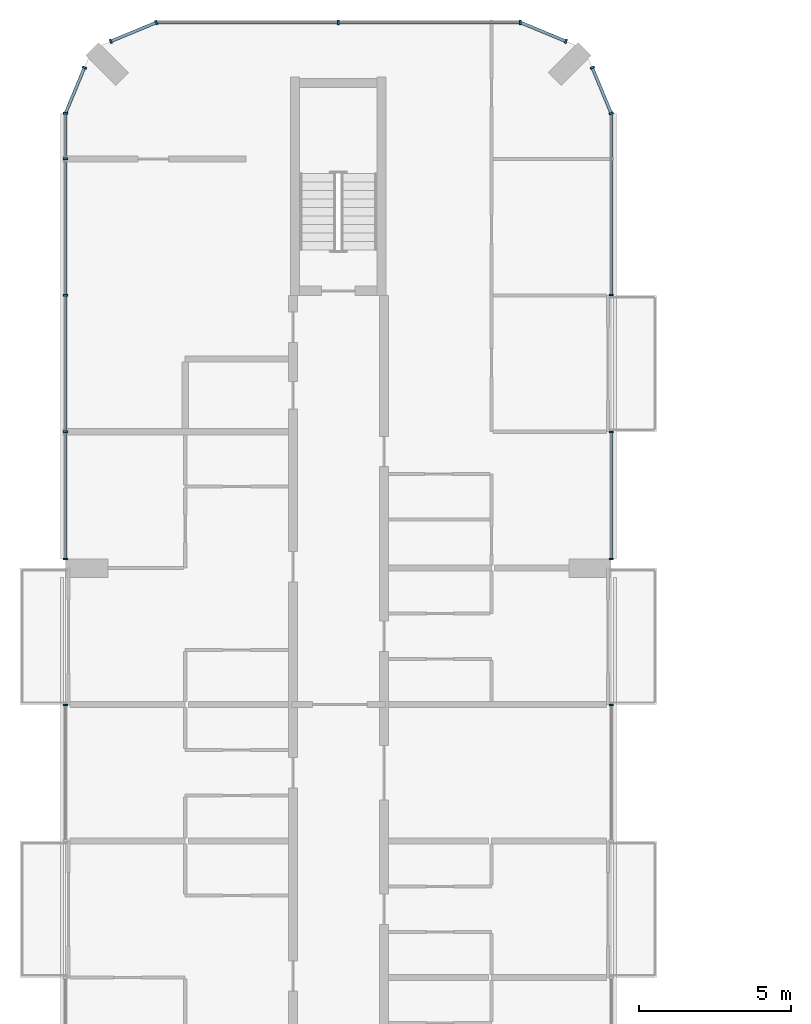
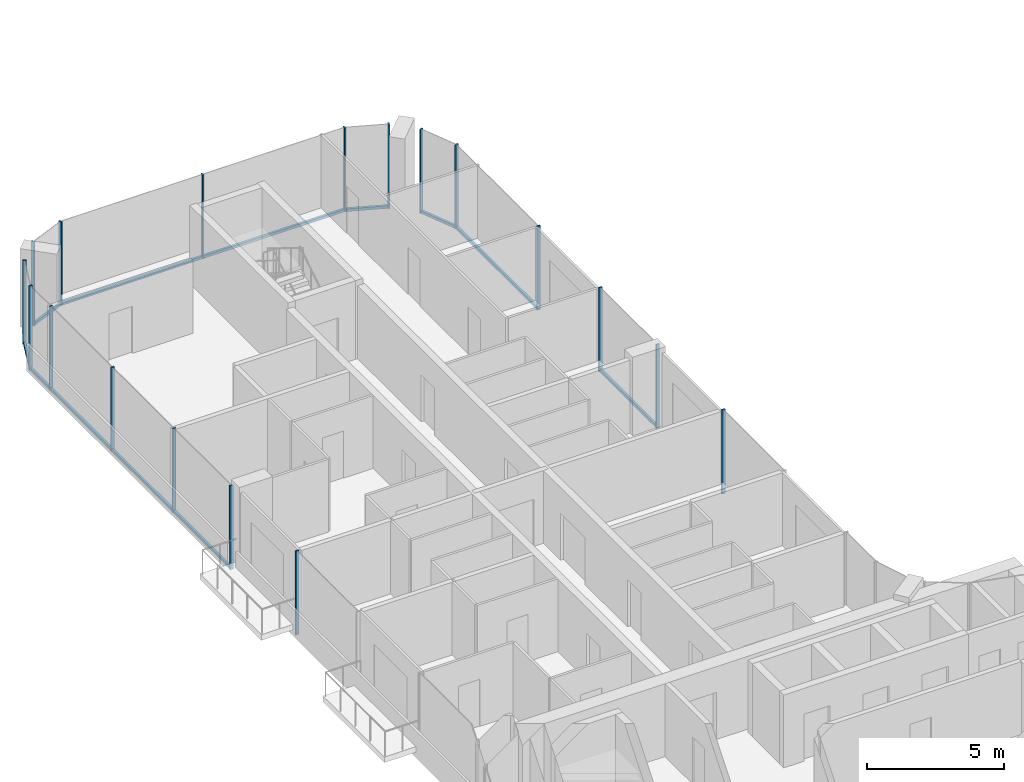
# One storey, part 7 of 18: 26 members, 10 elements without a shape of their own.
"""IFC4 building model written with IfcOpenShell, lengths in metres."""

from ifc_helpers import new_model, si_unit, direction, frame, origin, origin_2d, place, context, subcontext, project, spatial, rectangle, extrude, material, layer, layer_set, material_profile, profile_set, type_object, element, aggregate, save


model = new_model("IFC4")

# Units and contexts
model_context = context("Model", 3, precision=1e-05, world=origin(), true_north=direction((0.0, 1.0)))
body_context = subcontext(model_context, "Body", "Model", "MODEL_VIEW")
ifc_project = project(units=[si_unit("LENGTHUNIT", "METRE"), si_unit("AREAUNIT", "SQUARE_METRE"), si_unit("VOLUMEUNIT", "CUBIC_METRE"), si_unit("PLANEANGLEUNIT", "RADIAN"), si_unit("MASSUNIT", "GRAM", prefix="KILO")], contexts=[model_context])

# Site, building, storey
site_placement = place(None, origin())
site = spatial("IfcSite", under=ifc_project, at=site_placement, CompositionType="ELEMENT")
building_placement = place(site_placement, origin())
building = spatial("IfcBuilding", under=site, at=building_placement, Name="Plateau Cross Towers", CompositionType="ELEMENT")
storey_placement = place(building_placement, frame((0.0, 0.0, 139.39990234375)))
storey = spatial("IfcBuildingStorey", under=building, at=storey_placement, Name="L35", CompositionType="ELEMENT", Elevation=139.39990234375)

# Curtain wall, member
ifc_material_1 = material(Name="Dark low-iron glass", Category="glass")
ifc_layer = layer(ifc_material_1, 0.239990234375)
ifc_layer_set = layer_set([ifc_layer], Name="Dark low-iron glass")
curtain_wall_type = type_object("IfcCurtainWallType", Name="Curtain wall flush unitised CW-B", PredefinedType="NOTDEFINED", material=ifc_layer_set)
curtain_wall_1_placement = place(storey_placement, origin())
curtain_wall_1 = element("IfcCurtainWall", 1, at=curtain_wall_1_placement, inside=storey, type_object=curtain_wall_type, Name="ENV/A/L35/A180_270", PredefinedType="NOTDEFINED")
ifc_material_2 = material(Name="Black anodised aluminium", Category="aluminium")
ifc_material_profile_1 = material_profile(ifc_material_2, rectangle(XDim=0.06005859375, YDim=0.139892578125, at=origin_2d()), Name="MULLION 60x140")
ifc_profile_set_1 = profile_set([ifc_material_profile_1], Name="Black anodised aluminium")
member_type_1 = type_object("IfcMemberType", Name="Mullion 60x140 flush unitised", PredefinedType="MULLION", material=ifc_profile_set_1)
member_1_placement = place(storey_placement, frame((18.0, 31.489990234375, -0.5), z_axis=(0.0, 0.0, 1.0), x_axis=(0.0, 1.0, 0.0)))
member_1 = element("IfcMember", 2, at=member_1_placement, type_object=member_type_1, Name="CW-B mullion 2", PredefinedType="MULLION", context=body_context, shape_type="SweptSolid", body=[
    extrude(rectangle(XDim=0.06005859375, YDim=0.139892578125, at=origin_2d()), origin(), (0.0, 0.0, 1.0), 3.75),
])
aggregate(curtain_wall_1, [member_1])

# Curtain wall, members
curtain_wall_2_placement = place(storey_placement, origin())
curtain_wall_2 = element("IfcCurtainWall", 3, at=curtain_wall_2_placement, inside=storey, type_object=curtain_wall_type, Name="ENV/A/L35/A180_363", PredefinedType="NOTDEFINED")
member_2_placement = place(storey_placement, frame((18.0, 36.300048828125, -0.5), z_axis=(0.0, 0.0, 1.0), x_axis=(0.0, 1.0, 0.0)))
member_2 = element("IfcMember", 4, at=member_2_placement, type_object=member_type_1, Name="CW-B mullion 1", PredefinedType="MULLION", context=body_context, shape_type="SweptSolid", body=[
    extrude(rectangle(XDim=0.06005859375, YDim=0.139892578125, at=origin_2d()), origin(), (0.0, 0.0, 1.0), 3.75),
])
member_3_placement = place(storey_placement, frame((18.0, 40.489990234375, -0.5), z_axis=(0.0, 0.0, 1.0), x_axis=(0.0, 1.0, 0.0)))
member_3 = element("IfcMember", 5, at=member_3_placement, type_object=member_type_1, Name="CW-B mullion 2", PredefinedType="MULLION", context=body_context, shape_type="SweptSolid", body=[
    extrude(rectangle(XDim=0.06005859375, YDim=0.139892578125, at=origin_2d()), origin(), (0.0, 0.0, 1.0), 3.75),
])

# Curtain wall, member
curtain_wall_3_placement = place(storey_placement, origin())
curtain_wall_3 = element("IfcCurtainWall", 6, at=curtain_wall_3_placement, inside=storey, type_object=curtain_wall_type, Name="ENV/A/L35/A180_450", PredefinedType="NOTDEFINED")
member_4_placement = place(storey_placement, frame((18.0, 45.010009765625, -0.5), z_axis=(0.0, 0.0, 1.0), x_axis=(0.0, 1.0, 0.0)))
member_4 = element("IfcMember", 7, at=member_4_placement, type_object=member_type_1, Name="CW-B mullion 1", PredefinedType="MULLION", context=body_context, shape_type="SweptSolid", body=[
    extrude(rectangle(XDim=0.06005859375, YDim=0.139892578125, at=origin_2d()), origin(), (0.0, 0.0, 1.0), 3.75),
])

# Curtain wall, members
curtain_wall_4_placement = place(storey_placement, origin())
curtain_wall_4 = element("IfcCurtainWall", 8, at=curtain_wall_4_placement, inside=storey, type_object=curtain_wall_type, Name="ENV/A/L35/A180_510", PredefinedType="NOTDEFINED")
member_5_placement = place(storey_placement, frame((18.0, 51.0, -0.5), z_axis=(0.0, 0.0, 1.0), x_axis=(-0.382683612978, 0.923879457699, 0.0)))
member_5 = element("IfcMember", 9, at=member_5_placement, type_object=member_type_1, Name="CW-B mullion 1", PredefinedType="MULLION", context=body_context, shape_type="SweptSolid", body=[
    extrude(rectangle(XDim=0.06005859375, YDim=0.139892578125, at=origin_2d()), origin(), (0.0, 0.0, 1.0), 3.75),
])
member_6_placement = place(storey_placement, frame((17.376220703125, 52.505859375, -0.5), z_axis=(0.0, 0.0, 1.0), x_axis=(-0.382683612978, 0.923879457699, 0.0)))
member_6 = element("IfcMember", 10, at=member_6_placement, type_object=member_type_1, Name="CW-B mullion 2", PredefinedType="MULLION", context=body_context, shape_type="SweptSolid", body=[
    extrude(rectangle(XDim=0.06005859375, YDim=0.139892578125, at=origin_2d()), origin(), (0.0, 0.0, 1.0), 3.75),
])

# Curtain wall, member
curtain_wall_5_placement = place(storey_placement, origin())
curtain_wall_5 = element("IfcCurtainWall", 11, at=curtain_wall_5_placement, inside=storey, type_object=curtain_wall_type, Name="ENV/A/L35/A165_534", PredefinedType="NOTDEFINED")
member_7_placement = place(storey_placement, frame((16.505859375, 53.376220703125, -0.5), z_axis=(0.0, 0.0, 1.0), x_axis=(-0.923879457699, 0.382683612978, 0.0)))
member_7 = element("IfcMember", 12, at=member_7_placement, type_object=member_type_1, Name="CW-B mullion 1", PredefinedType="MULLION", context=body_context, shape_type="SweptSolid", body=[
    extrude(rectangle(XDim=0.06005859375, YDim=0.139892578125, at=origin_2d()), origin(), (0.0, 0.0, 1.0), 3.75),
])

# Curtain wall, members
curtain_wall_6_placement = place(storey_placement, origin())
curtain_wall_6 = element("IfcCurtainWall", 13, at=curtain_wall_6_placement, inside=storey, type_object=curtain_wall_type, Name="ENV/A/L35/A150_540", PredefinedType="NOTDEFINED")
member_8_placement = place(storey_placement, frame((15.0, 54.0, -0.5), z_axis=(0.0, 0.0, 1.0), x_axis=(-1.0, 0.0, 0.0)))
member_8 = element("IfcMember", 14, at=member_8_placement, type_object=member_type_1, Name="CW-B mullion 1", PredefinedType="MULLION", context=body_context, shape_type="SweptSolid", body=[
    extrude(rectangle(XDim=0.06005859375, YDim=0.139892578125, at=origin_2d()), origin(), (0.0, 0.0, 1.0), 3.75),
])
member_9_placement = place(storey_placement, frame((9.0, 54.0, -0.5), z_axis=(0.0, 0.0, 1.0), x_axis=(-1.0, 0.0, 0.0)))
member_9 = element("IfcMember", 15, at=member_9_placement, type_object=member_type_1, Name="CW-B mullion 2", PredefinedType="MULLION", context=body_context, shape_type="SweptSolid", body=[
    extrude(rectangle(XDim=0.06005859375, YDim=0.139892578125, at=origin_2d()), origin(), (0.0, 0.0, 1.0), 3.75),
])

curtain_wall_7_placement = place(storey_placement, origin())
curtain_wall_7 = element("IfcCurtainWall", 16, at=curtain_wall_7_placement, inside=storey, type_object=curtain_wall_type, Name="ENV/A/L35/A30_540", PredefinedType="NOTDEFINED")
member_10_placement = place(storey_placement, frame((3.0, 54.0, -0.5), z_axis=(0.0, 0.0, 1.0), x_axis=(-0.923879457699, -0.382683612978, 0.0)))
member_10 = element("IfcMember", 17, at=member_10_placement, type_object=member_type_1, Name="CW-B mullion 1", PredefinedType="MULLION", context=body_context, shape_type="SweptSolid", body=[
    extrude(rectangle(XDim=0.06005859375, YDim=0.139892578125, at=origin_2d()), origin(), (0.0, 0.0, 1.0), 3.75),
])
member_11_placement = place(storey_placement, frame((1.494140625, 53.376220703125, -0.5), z_axis=(0.0, 0.0, 1.0), x_axis=(-0.923879457699, -0.382683612978, 0.0)))
member_11 = element("IfcMember", 18, at=member_11_placement, type_object=member_type_1, Name="CW-B mullion 2", PredefinedType="MULLION", context=body_context, shape_type="SweptSolid", body=[
    extrude(rectangle(XDim=0.06005859375, YDim=0.139892578125, at=origin_2d()), origin(), (0.0, 0.0, 1.0), 3.75),
])

# Curtain wall, member
curtain_wall_8_placement = place(storey_placement, origin())
curtain_wall_8 = element("IfcCurtainWall", 19, at=curtain_wall_8_placement, inside=storey, type_object=curtain_wall_type, Name="ENV/A/L35/A6_525", PredefinedType="NOTDEFINED")
member_12_placement = place(storey_placement, frame((0.623779296875, 52.505859375, -0.5), z_axis=(0.0, 0.0, 1.0), x_axis=(-0.382683612978, -0.923879457699, 0.0)))
member_12 = element("IfcMember", 20, at=member_12_placement, type_object=member_type_1, Name="CW-B mullion 1", PredefinedType="MULLION", context=body_context, shape_type="SweptSolid", body=[
    extrude(rectangle(XDim=0.06005859375, YDim=0.139892578125, at=origin_2d()), origin(), (0.0, 0.0, 1.0), 3.75),
])

# Curtain wall, members
curtain_wall_9_placement = place(storey_placement, origin())
curtain_wall_9 = element("IfcCurtainWall", 21, at=curtain_wall_9_placement, inside=storey, type_object=curtain_wall_type, Name="ENV/A/L35/A0_510", PredefinedType="NOTDEFINED")
member_13_placement = place(storey_placement, frame((0.0, 51.0, -0.5), z_axis=(0.0, 0.0, 1.0), x_axis=(0.0, -1.0, 0.0)))
member_13 = element("IfcMember", 22, at=member_13_placement, type_object=member_type_1, Name="CW-B mullion 1", PredefinedType="MULLION", context=body_context, shape_type="SweptSolid", body=[
    extrude(rectangle(XDim=0.06005859375, YDim=0.139892578125, at=origin_2d()), origin(), (0.0, 0.0, 1.0), 3.75),
])
member_14_placement = place(storey_placement, frame((0.0, 49.5, -0.5), z_axis=(0.0, 0.0, 1.0), x_axis=(0.0, -1.0, 0.0)))
member_14 = element("IfcMember", 23, at=member_14_placement, type_object=member_type_1, Name="CW-B mullion 2", PredefinedType="MULLION", context=body_context, shape_type="SweptSolid", body=[
    extrude(rectangle(XDim=0.06005859375, YDim=0.139892578125, at=origin_2d()), origin(), (0.0, 0.0, 1.0), 3.75),
])
member_15_placement = place(storey_placement, frame((0.0, 45.0, -0.5), z_axis=(0.0, 0.0, 1.0), x_axis=(0.0, -1.0, 0.0)))
member_15 = element("IfcMember", 24, at=member_15_placement, type_object=member_type_1, Name="CW-B mullion 3", PredefinedType="MULLION", context=body_context, shape_type="SweptSolid", body=[
    extrude(rectangle(XDim=0.06005859375, YDim=0.139892578125, at=origin_2d()), origin(), (0.0, 0.0, 1.0), 3.75),
])
member_16_placement = place(storey_placement, frame((0.0, 40.5, -0.5), z_axis=(0.0, 0.0, 1.0), x_axis=(0.0, -1.0, 0.0)))
member_16 = element("IfcMember", 25, at=member_16_placement, type_object=member_type_1, Name="CW-B mullion 4", PredefinedType="MULLION", context=body_context, shape_type="SweptSolid", body=[
    extrude(rectangle(XDim=0.06005859375, YDim=0.139892578125, at=origin_2d()), origin(), (0.0, 0.0, 1.0), 3.75),
])
member_17_placement = place(storey_placement, frame((0.0, 36.300048828125, -0.5), z_axis=(0.0, 0.0, 1.0), x_axis=(0.0, -1.0, 0.0)))
member_17 = element("IfcMember", 26, at=member_17_placement, type_object=member_type_1, Name="CW-B mullion 5", PredefinedType="MULLION", context=body_context, shape_type="SweptSolid", body=[
    extrude(rectangle(XDim=0.06005859375, YDim=0.139892578125, at=origin_2d()), origin(), (0.0, 0.0, 1.0), 3.75),
])

# Curtain wall, member
curtain_wall_10_placement = place(storey_placement, origin())
curtain_wall_10 = element("IfcCurtainWall", 27, at=curtain_wall_10_placement, inside=storey, type_object=curtain_wall_type, Name="ENV/A/L35/A0_315", PredefinedType="NOTDEFINED")
member_18_placement = place(storey_placement, frame((0.0, 31.489990234375, -0.5), z_axis=(0.0, 0.0, 1.0), x_axis=(0.0, -1.0, 0.0)))
member_18 = element("IfcMember", 28, at=member_18_placement, type_object=member_type_1, Name="CW-B mullion 1", PredefinedType="MULLION", context=body_context, shape_type="SweptSolid", body=[
    extrude(rectangle(XDim=0.06005859375, YDim=0.139892578125, at=origin_2d()), origin(), (0.0, 0.0, 1.0), 3.75),
])
aggregate(curtain_wall_10, [member_18])

# Member
ifc_material_profile_2 = material_profile(ifc_material_2, rectangle(XDim=0.10009765625, YDim=0.1201171875, at=origin_2d()), Name="TRANSOM 100x120")
ifc_profile_set_2 = profile_set([ifc_material_profile_2], Name="Black anodised aluminium")
member_type_2 = type_object("IfcMemberType", Name="Transom 100x120 flush unitised", PredefinedType="USERDEFINED", material=ifc_profile_set_2)
member_19_placement = place(storey_placement, frame((18.0, 36.300048828125, -0.43994140625), z_axis=(0.0, 1.0, 0.0), x_axis=(-1.0, 0.0, 0.0)))
member_19 = element("IfcMember", 29, at=member_19_placement, type_object=member_type_2, Name="CW-B transom", ObjectType="TRANSOM", PredefinedType="USERDEFINED", context=body_context, shape_type="SweptSolid", body=[
    extrude(rectangle(XDim=0.10009765625, YDim=0.1201171875, at=origin_2d()), origin(), (0.0, 0.0, 1.0), 4.18994140625),
])

aggregate(curtain_wall_2, [member_2, member_3, member_19])

member_20_placement = place(storey_placement, frame((18.0, 45.010009765625, -0.43994140625), z_axis=(0.0, 1.0, 0.0), x_axis=(-1.0, 0.0, 0.0)))
member_20 = element("IfcMember", 30, at=member_20_placement, type_object=member_type_2, Name="CW-B transom", ObjectType="TRANSOM", PredefinedType="USERDEFINED", context=body_context, shape_type="SweptSolid", body=[
    extrude(rectangle(XDim=0.10009765625, YDim=0.1201171875, at=origin_2d()), origin(), (0.0, 0.0, 1.0), 5.989990234375),
])

aggregate(curtain_wall_3, [member_4, member_20])

member_21_placement = place(storey_placement, frame((18.0, 51.0, -0.43994140625), z_axis=(-0.382700148253, 0.923872608386, 0.0), x_axis=(-0.923872608386, -0.382700148253, 0.0)))
member_21 = element("IfcMember", 31, at=member_21_placement, type_object=member_type_2, Name="CW-B transom", ObjectType="TRANSOM", PredefinedType="USERDEFINED", context=body_context, shape_type="SweptSolid", body=[
    extrude(rectangle(XDim=0.10009765625, YDim=0.1201171875, at=origin_2d()), origin(), (0.0, 0.0, 1.0), 1.6298828125),
])

aggregate(curtain_wall_4, [member_5, member_6, member_21])

member_22_placement = place(storey_placement, frame((16.505859375, 53.376220703125, -0.43994140625), z_axis=(-0.923872608386, 0.382700148253, 0.0), x_axis=(-0.382700148253, -0.923872608386, 0.0)))
member_22 = element("IfcMember", 32, at=member_22_placement, type_object=member_type_2, Name="CW-B transom", ObjectType="TRANSOM", PredefinedType="USERDEFINED", context=body_context, shape_type="SweptSolid", body=[
    extrude(rectangle(XDim=0.10009765625, YDim=0.1201171875, at=origin_2d()), origin(), (0.0, 0.0, 1.0), 1.6298828125),
])

aggregate(curtain_wall_5, [member_7, member_22])

member_23_placement = place(storey_placement, frame((15.0, 54.0, -0.43994140625), z_axis=(-1.0, 0.0, 0.0), x_axis=(0.0, -1.0, 0.0)))
member_23 = element("IfcMember", 33, at=member_23_placement, type_object=member_type_2, Name="CW-B transom", ObjectType="TRANSOM", PredefinedType="USERDEFINED", context=body_context, shape_type="SweptSolid", body=[
    extrude(rectangle(XDim=0.10009765625, YDim=0.1201171875, at=origin_2d()), origin(), (0.0, 0.0, 1.0), 12.0),
])

aggregate(curtain_wall_6, [member_8, member_9, member_23])

member_24_placement = place(storey_placement, frame((3.0, 54.0, -0.43994140625), z_axis=(-0.923872608386, -0.382700148253, 0.0), x_axis=(0.382700148253, -0.923872608386, 0.0)))
member_24 = element("IfcMember", 34, at=member_24_placement, type_object=member_type_2, Name="CW-B transom", ObjectType="TRANSOM", PredefinedType="USERDEFINED", context=body_context, shape_type="SweptSolid", body=[
    extrude(rectangle(XDim=0.10009765625, YDim=0.1201171875, at=origin_2d()), origin(), (0.0, 0.0, 1.0), 1.6298828125),
])

aggregate(curtain_wall_7, [member_10, member_11, member_24])

member_25_placement = place(storey_placement, frame((0.623779296875, 52.505859375, -0.43994140625), z_axis=(-0.382700148253, -0.923872608386, 0.0), x_axis=(0.923872608386, -0.382700148253, 0.0)))
member_25 = element("IfcMember", 35, at=member_25_placement, type_object=member_type_2, Name="CW-B transom", ObjectType="TRANSOM", PredefinedType="USERDEFINED", context=body_context, shape_type="SweptSolid", body=[
    extrude(rectangle(XDim=0.10009765625, YDim=0.1201171875, at=origin_2d()), origin(), (0.0, 0.0, 1.0), 1.6298828125),
])

aggregate(curtain_wall_8, [member_12, member_25])

member_26_placement = place(storey_placement, frame((0.0, 51.0, -0.43994140625), z_axis=(0.0, -1.0, 0.0), x_axis=(1.0, 0.0, 0.0)))
member_26 = element("IfcMember", 36, at=member_26_placement, type_object=member_type_2, Name="CW-B transom", ObjectType="TRANSOM", PredefinedType="USERDEFINED", context=body_context, shape_type="SweptSolid", body=[
    extrude(rectangle(XDim=0.10009765625, YDim=0.1201171875, at=origin_2d()), origin(), (0.0, 0.0, 1.0), 14.699951171875),
])

aggregate(curtain_wall_9, [member_13, member_14, member_15, member_16, member_17, member_26])

save(model, "model.ifc")
